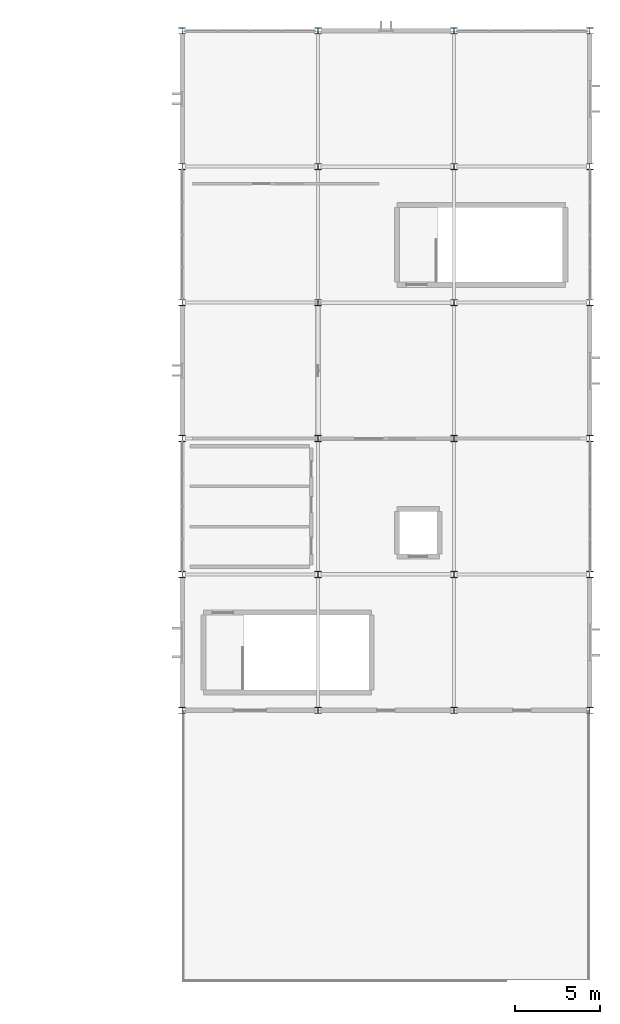
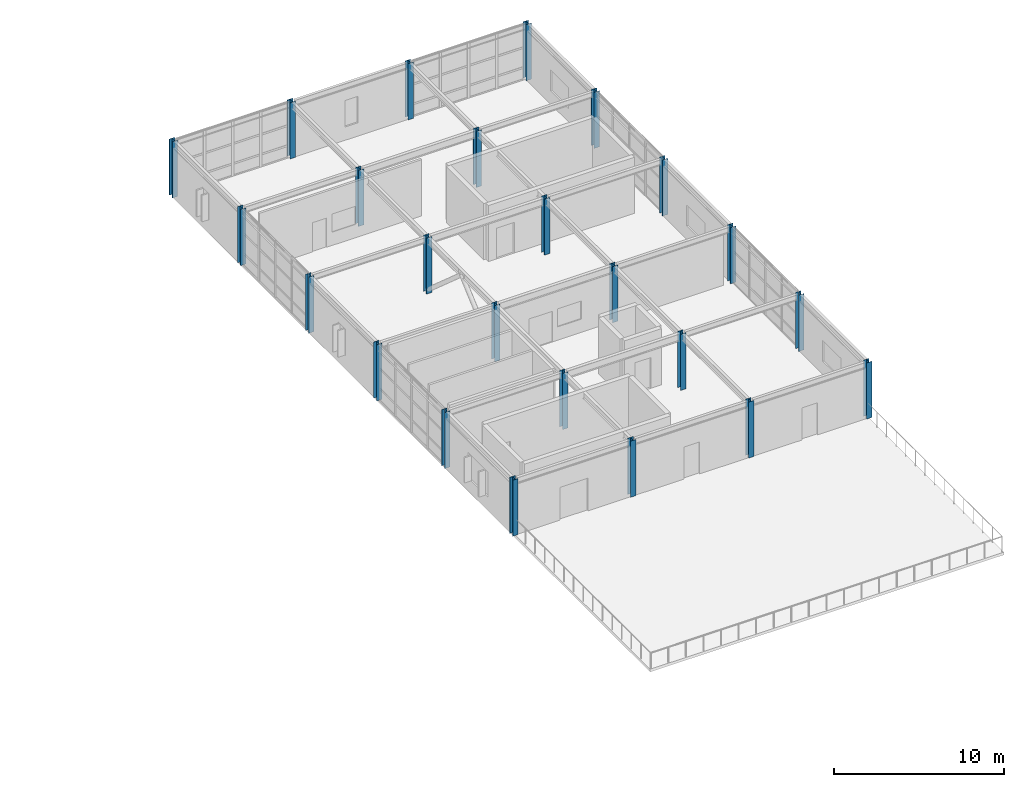
# One storey, part 5 of 34: 24 columns.
"""IFC4 building model written with IfcOpenShell, lengths in metres."""

import ifcopenshell
import ifcopenshell.guid

model = None  # the IFC model being written
_history = None  # IfcOwnerHistory: only IFC2X3 demands one
_inside = {}  # id of a spatial element -> (the spatial element, [elements in it])
_under = {}  # id of a project, library or spatial element -> (it, [spatial elements below it])
_declared = {}  # id of a project -> (the project, [libraries it declares])
_typed = {}  # id of a type object -> (the type object, [elements of that type])
_made_of = {}  # id of a material, layer set ... -> (it, [elements and type objects made of it])


def new_model(schema):
    """Start an empty IFC model of exactly this schema.

    Asked for "IFC4X3", IfcOpenShell would pick the latest addendum, in which some entities
    have other attributes; the version numbers below select the first issue.
    IFC2X3 requires an IfcOwnerHistory on every rooted entity: one is made here for all.
    """
    global model, _history
    if schema == "IFC4X3":
        model = ifcopenshell.file(schema_version=(4, 3, 0, 0))
    else:
        model = ifcopenshell.file(schema=schema)
    _inside.clear()
    _under.clear()
    _declared.clear()
    _typed.clear()
    _made_of.clear()
    _history = None
    if model.schema == "IFC2X3":
        org = make("IfcOrganization", Name="unknown")
        user = make(
            "IfcPersonAndOrganization",
            ThePerson=make("IfcPerson", FamilyName="unknown"),
            TheOrganization=org,
        )
        app = make(
            "IfcApplication",
            ApplicationDeveloper=org,
            Version="unknown",
            ApplicationFullName="unknown",
            ApplicationIdentifier="unknown",
        )
        _history = make(
            "IfcOwnerHistory",
            OwningUser=user,
            OwningApplication=app,
            ChangeAction="ADDED",
            CreationDate=0,
        )
    return model


def make(cls, **values):
    """One entity of the class cls with the attributes given. An attribute that is None is left unset."""
    return model.create_entity(
        cls, **{name: value for name, value in values.items() if value is not None}
    )


def rooted(cls, **values):
    """An entity with a GlobalId (a new one), such as an element, a storey or a relation."""
    return make(cls, GlobalId=ifcopenshell.guid.new(), OwnerHistory=_history, **values)


def si_unit(unit_type, name, prefix=None):
    """IfcSIUnit, for example si_unit("LENGTHUNIT", "METRE", prefix="MILLI")."""
    return make("IfcSIUnit", UnitType=unit_type, Prefix=prefix, Name=name)


def assignment(units):
    """IfcUnitAssignment: the units of a project."""
    return None if units is None else make("IfcUnitAssignment", Units=units)


def point(xyz):
    """IfcCartesianPoint."""
    return None if xyz is None else make("IfcCartesianPoint", Coordinates=xyz)


def direction(xyz):
    """IfcDirection."""
    return None if xyz is None else make("IfcDirection", DirectionRatios=xyz)


def frame(location, z_axis=None, x_axis=None):
    """IfcAxis2Placement3D, a coordinate frame: its origin and axes. An axis left out is left unset."""
    return make(
        "IfcAxis2Placement3D",
        Location=point(location),
        Axis=direction(z_axis),
        RefDirection=direction(x_axis),
    )


def frame_2d(location, x_axis=None):
    """IfcAxis2Placement2D, a coordinate frame in the plane: its origin and x axis."""
    return make(
        "IfcAxis2Placement2D", Location=point(location), RefDirection=direction(x_axis)
    )


def origin():
    """The frame at (0, 0, 0) with its axes left unset."""
    return frame((0.0, 0.0, 0.0))


def origin_2d():
    """The frame at (0, 0) in the plane with its x axis left unset."""
    return frame_2d((0.0, 0.0))


def place(relative_to, where):
    """IfcLocalPlacement: puts the frame where relative to a parent placement (None: the world)."""
    return make(
        "IfcLocalPlacement", PlacementRelTo=relative_to, RelativePlacement=where
    )


def context(
    kind, dimensions, precision=None, world=None, true_north=None, identifier=None
):
    """IfcGeometricRepresentationContext, for example the 3D "Model" context."""
    return make(
        "IfcGeometricRepresentationContext",
        ContextIdentifier=identifier,
        ContextType=kind,
        CoordinateSpaceDimension=dimensions,
        Precision=precision,
        WorldCoordinateSystem=world,
        TrueNorth=true_north,
    )


def subcontext(parent, identifier, kind, view, scale=None):
    """IfcGeometricRepresentationSubContext, for example "Body" below "Model"."""
    return make(
        "IfcGeometricRepresentationSubContext",
        ContextIdentifier=identifier,
        ContextType=kind,
        ParentContext=parent,
        TargetScale=scale,
        TargetView=view,
    )


def project(units=None, contexts=None):
    """IfcProject with its units and contexts."""
    return rooted(
        "IfcProject",
        Name="project",
        RepresentationContexts=contexts,
        UnitsInContext=assignment(units),
    )


def spatial(cls, under=None, at=None, **own):
    """A site, building, storey or space (cls), placed at a placement, below another one or the project."""
    s = rooted(cls, ObjectPlacement=at, **own)
    if under is not None:
        _under.setdefault(under.id(), (under, []))[1].append(s)
    return s


def profile(cls, at=None, kind="AREA", **sizes):
    """A parametric profile (cls). Its sizes go by their IFC names, for example OverallWidth=200.0."""
    return make(cls, ProfileType=kind, Position=at, **sizes)


def i_section(**sizes):
    """IfcIShapeProfileDef."""
    return profile("IfcIShapeProfileDef", **sizes)


def extrude(swept, where, along, depth):
    """IfcExtrudedAreaSolid: the profile swept, set in the frame where, extruded along a direction by depth."""
    return make(
        "IfcExtrudedAreaSolid",
        SweptArea=swept,
        Position=where,
        ExtrudedDirection=direction(along),
        Depth=depth,
    )


def shape(context_of_items, identifier, shape_type, items):
    """IfcShapeRepresentation: the items that make up one representation, for example the "Body"."""
    return make(
        "IfcShapeRepresentation",
        ContextOfItems=context_of_items,
        RepresentationIdentifier=identifier,
        RepresentationType=shape_type,
        Items=items,
    )


def material(Name=None, Category=None):
    """IfcMaterial."""
    return make("IfcMaterial", Name=Name, Category=Category)


def material_profile(
    of_material, cross_section, Name=None, Category=None, Priority=None
):
    """IfcMaterialProfile: a cross section and its material."""
    return make(
        "IfcMaterialProfile",
        Name=Name,
        Material=of_material,
        Profile=cross_section,
        Priority=Priority,
        Category=Category,
    )


def profile_set(profiles, Name=None, composite=None):
    """IfcMaterialProfileSet."""
    return make(
        "IfcMaterialProfileSet",
        Name=Name,
        MaterialProfiles=profiles,
        CompositeProfile=composite,
    )


def made_of(thing, what):
    """Note that an element or type object is made of a material, layer set ...; save() writes the relation."""
    if what is not None:
        _made_of.setdefault(what.id(), (what, []))[1].append(thing)
    return thing


def type_object(cls, material=None, **own):
    """A type object (cls), such as IfcWallType, which elements share."""
    return made_of(rooted(cls, **own), material)


def element(
    cls,
    number,
    at=None,
    inside=None,
    cuts=None,
    type_object=None,
    material=None,
    context=None,
    identifier="Body",
    shape_type=None,
    held_by="IfcProductDefinitionShape",
    body=None,
    shapes=None,
    **own,
):
    """One element of the class cls, such as IfcWall. Its Tag is "e" and its number.

    at: its placement. inside: the storey or other place that contains it. cuts: it is an
    opening in that element (IfcRelVoidsElement). A single representation is given by context,
    identifier, shape_type and body (its items); several are given by shapes. held_by: the class
    of the entity that holds the representations. save() writes the other relations.
    """
    e = rooted(cls, Tag="e%d" % number, ObjectPlacement=at, **own)
    if body is not None:
        shapes = [shape(context, identifier, shape_type, body)]
    if shapes is not None:
        e.Representation = make(held_by, Representations=shapes)
    if inside is not None:
        _inside.setdefault(inside.id(), (inside, []))[1].append(e)
    if cuts is not None:
        rooted(
            "IfcRelVoidsElement", RelatingBuildingElement=cuts, RelatedOpeningElement=e
        )
    if type_object is not None:
        _typed.setdefault(type_object.id(), (type_object, []))[1].append(e)
    return made_of(e, material)


def aggregate(whole, parts):
    """IfcRelAggregates: a whole, such as a stair, and the parts it consists of."""
    return rooted("IfcRelAggregates", RelatingObject=whole, RelatedObjects=parts)


def save(model, path):
    """Write the relations noted so far, then the file.

    IfcRelAggregates (storeys below a building ...), IfcRelContainedInSpatialStructure (elements
    in a storey), IfcRelDefinesByType, IfcRelAssociatesMaterial and IfcRelDeclares: one each for
    every whole, place, type object, material and project.
    """
    for whole, parts in _under.values():
        aggregate(whole, parts)
    for where, things in _inside.values():
        rooted(
            "IfcRelContainedInSpatialStructure",
            RelatedElements=things,
            RelatingStructure=where,
        )
    for kind, things in _typed.values():
        rooted("IfcRelDefinesByType", RelatedObjects=things, RelatingType=kind)
    for what, things in _made_of.values():
        rooted("IfcRelAssociatesMaterial", RelatedObjects=things, RelatingMaterial=what)
    for by, libraries in _declared.values():
        rooted("IfcRelDeclares", RelatingContext=by, RelatedDefinitions=libraries)
    model.write(path)


model = new_model("IFC4")

# Units and contexts
model_context = context("Model", 3, precision=1e-05, world=origin(), true_north=direction((0.0, 1.0)))
body_context = subcontext(model_context, "Body", "Model", "MODEL_VIEW")
ifc_project = project(units=[si_unit("LENGTHUNIT", "METRE"), si_unit("AREAUNIT", "SQUARE_METRE"), si_unit("VOLUMEUNIT", "CUBIC_METRE"), si_unit("PLANEANGLEUNIT", "RADIAN"), si_unit("MASSUNIT", "GRAM", prefix="KILO")], contexts=[model_context])

# Site, building, storey
site_placement = place(None, origin())
site = spatial("IfcSite", under=ifc_project, at=site_placement, CompositionType="ELEMENT")
building_placement = place(site_placement, origin())
building = spatial("IfcBuilding", under=site, at=building_placement, Name="Varnela Railside Interchange", CompositionType="ELEMENT")
storey_placement = place(building_placement, frame((0.0, 0.0, 19.60009765625)))
storey = spatial("IfcBuildingStorey", under=building, at=storey_placement, Name="L04", CompositionType="ELEMENT", Elevation=19.60009765625)

# Columns
ifc_material = material(Name="Steel AR 350 (350 MPa)", Category="steel")
ifc_material_profile = material_profile(ifc_material, i_section(OverallWidth=0.3701171875, OverallDepth=0.360107421875, WebThickness=0.01220703125, FlangeThickness=0.019775390625, at=origin_2d()), Name="W360x147")
ifc_profile_set = profile_set([ifc_material_profile], Name="Steel AR 350 (350 MPa)")
column_type = type_object("IfcColumnType", Name="Superstructure Steel Col C-19", PredefinedType="COLUMN", material=ifc_profile_set)
for number, where, z_axis, x_axis, name in (
    (1, (116.0, 54.0, 0.0), (0.0, 0.0, 1.0), (1.0, 0.0, 0.0), "Column C-19 (L04) (CL-0903)"),
    (2, (116.0, 62.0, 0.0), (0.0, 0.0, 1.0), (1.0, 0.0, 0.0), "Column C-19 (L04) (CL-0904)"),
    (3, (116.0, 70.0, 0.0), (0.0, 0.0, 1.0), (1.0, 0.0, 0.0), "Column C-19 (L04) (CL-0905)"),
    (4, (116.0, 78.0, 0.0), (0.0, 0.0, 1.0), (1.0, 0.0, 0.0), "Column C-19 (L04) (CL-0906)"),
    (5, (116.0, 86.0, 0.0), (0.0, 0.0, 1.0), (1.0, 0.0, 0.0), "Column C-19 (L04) (CL-0907)"),
    (6, (116.0, 94.0, 0.0), (0.0, 0.0, 1.0), (1.0, 0.0, 0.0), "Column C-19 (L04) (CL-0908)"),
    (7, (124.0, 54.0, 0.0), (0.0, 0.0, 1.0), (1.0, 0.0, 0.0), "Column C-19 (L04) (CL-0909)"),
    (8, (124.0, 62.0, 0.0), (0.0, 0.0, 1.0), (1.0, 0.0, 0.0), "Column C-19 (L04) (CL-0910)"),
    (9, (124.0, 70.0, 0.0), (0.0, 0.0, 1.0), (1.0, 0.0, 0.0), "Column C-19 (L04) (CL-0911)"),
    (10, (124.0, 78.0, 0.0), (0.0, 0.0, 1.0), (1.0, 0.0, 0.0), "Column C-19 (L04) (CL-0912)"),
    (11, (124.0, 86.0, 0.0), (0.0, 0.0, 1.0), (1.0, 0.0, 0.0), "Column C-19 (L04) (CL-0913)"),
    (12, (124.0, 94.0, 0.0), (0.0, 0.0, 1.0), (1.0, 0.0, 0.0), "Column C-19 (L04) (CL-0914)"),
    (13, (132.0, 54.0, 0.0), (0.0, 0.0, 1.0), (1.0, 0.0, 0.0), "Column C-19 (L04) (CL-0915)"),
    (14, (132.0, 62.0, 0.0), (0.0, 0.0, 1.0), (1.0, 0.0, 0.0), "Column C-19 (L04) (CL-0916)"),
    (15, (132.0, 70.0, 0.0), (0.0, 0.0, 1.0), (1.0, 0.0, 0.0), "Column C-19 (L04) (CL-0917)"),
    (16, (132.0, 78.0, 0.0), (0.0, 0.0, 1.0), (1.0, 0.0, 0.0), "Column C-19 (L04) (CL-0918)"),
    (17, (132.0, 86.0, 0.0), (0.0, 0.0, 1.0), (1.0, 0.0, 0.0), "Column C-19 (L04) (CL-0919)"),
    (18, (132.0, 94.0, 0.0), (0.0, 0.0, 1.0), (1.0, 0.0, 0.0), "Column C-19 (L04) (CL-0920)"),
    (19, (140.0, 54.0, 0.0), (0.0, 0.0, 1.0), (1.0, 0.0, 0.0), "Column C-19 (L04) (CL-0921)"),
    (20, (140.0, 62.0, 0.0), (0.0, 0.0, 1.0), (1.0, 0.0, 0.0), "Column C-19 (L04) (CL-0922)"),
    (21, (140.0, 70.0, 0.0), (0.0, 0.0, 1.0), (1.0, 0.0, 0.0), "Column C-19 (L04) (CL-0923)"),
    (22, (140.0, 78.0, 0.0), (0.0, 0.0, 1.0), (1.0, 0.0, 0.0), "Column C-19 (L04) (CL-0924)"),
    (23, (140.0, 86.0, 0.0), (0.0, 0.0, 1.0), (1.0, 0.0, 0.0), "Column C-19 (L04) (CL-0925)"),
    (24, (140.0, 94.0, 0.0), (0.0, 0.0, 1.0), (1.0, 0.0, 0.0), "Column C-19 (L04) (CL-0926)"),
):
    element("IfcColumn", number, at=place(storey_placement, frame(where, z_axis=z_axis, x_axis=x_axis)), inside=storey, type_object=column_type, Name=name, PredefinedType="COLUMN", context=body_context, shape_type="SweptSolid", body=[
        extrude(i_section(OverallWidth=0.3701171875, OverallDepth=0.360107421875, WebThickness=0.01220703125, FlangeThickness=0.019775390625, at=origin_2d()), origin(), (0.0, 0.0, 1.0), 4.02001953125),
    ])

save(model, "model.ifc")
